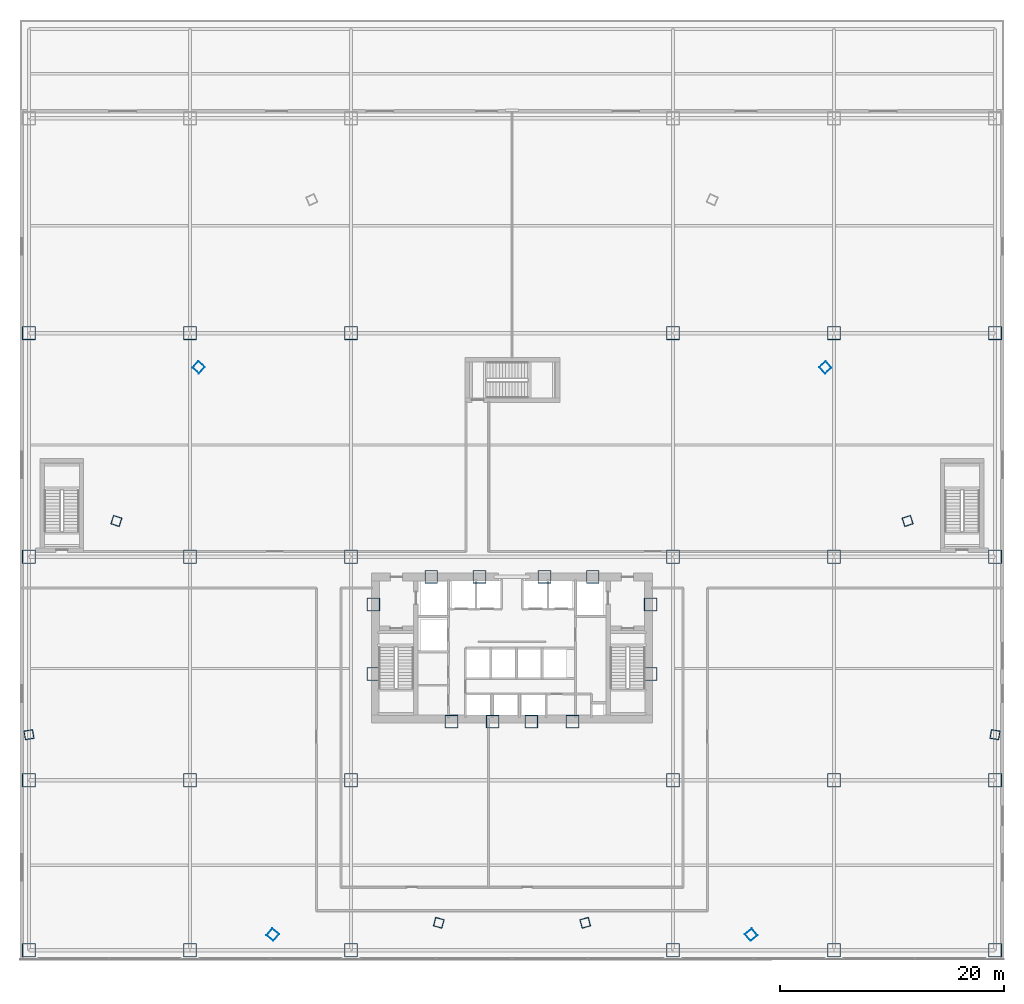
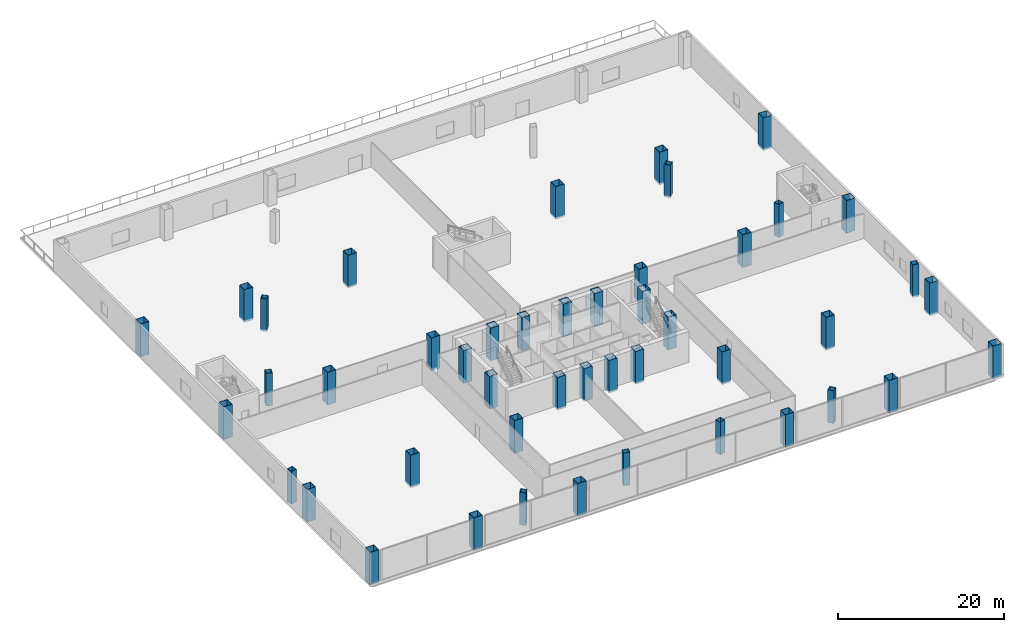
# One storey, part 1 of 27: 46 columns.
"""IFC4 building model written with IfcOpenShell, lengths in metres."""

from ifc_helpers import new_model, si_unit, direction, frame, origin, origin_2d, place, context, subcontext, project, spatial, hollow_rectangle, extrude, source, transform, mapped, material, material_profile, profile_set, type_object, element, save


model = new_model("IFC4")

# Units and contexts
model_context = context("Model", 3, precision=1e-05, world=origin(), true_north=direction((0.0, 1.0)))
body_context = subcontext(model_context, "Body", "Model", "MODEL_VIEW")
ifc_project = project(units=[si_unit("LENGTHUNIT", "METRE"), si_unit("AREAUNIT", "SQUARE_METRE"), si_unit("VOLUMEUNIT", "CUBIC_METRE"), si_unit("PLANEANGLEUNIT", "RADIAN"), si_unit("MASSUNIT", "GRAM", prefix="KILO"), si_unit("THERMODYNAMICTEMPERATUREUNIT", "KELVIN"), si_unit("POWERUNIT", "WATT")], contexts=[model_context])

# Site, building, storey
site_placement = place(None, origin())
site = spatial("IfcSite", under=ifc_project, at=site_placement, CompositionType="ELEMENT")
building_placement = place(site_placement, origin())
building = spatial("IfcBuilding", under=site, at=building_placement, Name="Yunzhuo Pagoda Commons", CompositionType="ELEMENT")
storey_placement = place(building_placement, frame((0.0, 0.0, 9.60009765625)))
storey = spatial("IfcBuildingStorey", under=building, at=storey_placement, Name="L03", CompositionType="ELEMENT", Elevation=9.60009765625)

# Columns
ifc_material = material(Name="Structural steel Q420B", Category="steel")
ifc_material_profile_1 = material_profile(ifc_material, hollow_rectangle(XDim=1.14990234375, YDim=1.14990234375, WallThickness=0.048095703125, at=origin_2d()), Name="Structural steel Q420B")
ifc_profile_set_1 = profile_set([ifc_material_profile_1], Name="Structural steel Q420B")
column_type_1 = type_object("IfcColumnType", Name="C-COR Column BOX 1150x1150x48", PredefinedType="COLUMN", material=ifc_profile_set_1)
shared_shape_1 = source(origin(), body_context, "Body", "SweptSolid", [
    extrude(hollow_rectangle(XDim=1.14990234375, YDim=1.14990234375, WallThickness=0.048095703125, at=origin_2d()), origin(), (0.0, 0.0, 1.0), 4.800048828125),
])
for number, where, z_axis, x_axis, name in (
    (1, (42.587890625, 27.25, -0.280029296875), (0.0, 0.0, 1.0), (1.0, 0.0, 0.0), "L03 core composite column F1C1"),
    (2, (46.27197265625, 27.25, -0.280029296875), (0.0, 0.0, 1.0), (1.0, 0.0, 0.0), "L03 core composite column F1C2"),
    (3, (49.728515625, 27.25, -0.280029296875), (0.0, 0.0, 1.0), (1.0, 0.0, 0.0), "L03 core composite column F1C3"),
    (4, (53.412109375, 27.25, -0.280029296875), (0.0, 0.0, 1.0), (1.0, 0.0, 0.0), "L03 core composite column F1C4"),
    (5, (60.39990234375, 31.513427734375, -0.280029296875), (0.0, 0.0, 1.0), (1.0, 0.0, 0.0), "L03 core composite column F2C1"),
    (6, (60.39990234375, 37.72900390625, -0.280029296875), (0.0, 0.0, 1.0), (1.0, 0.0, 0.0), "L03 core composite column F2C2"),
    (7, (55.218994140625, 40.199951171875, -0.280029296875), (0.0, 0.0, 1.0), (1.0, 0.0, 0.0), "L03 core composite column F2C3"),
    (8, (50.89404296875, 40.199951171875, -0.280029296875), (0.0, 0.0, 1.0), (1.0, 0.0, 0.0), "L03 core composite column F2C4"),
    (9, (45.10595703125, 40.199951171875, -0.280029296875), (0.0, 0.0, 1.0), (1.0, 0.0, 0.0), "L03 core composite column F3C1"),
    (10, (40.781005859375, 40.199951171875, -0.280029296875), (0.0, 0.0, 1.0), (1.0, 0.0, 0.0), "L03 core composite column F3C2"),
    (11, (35.60009765625, 37.72900390625, -0.280029296875), (0.0, 0.0, 1.0), (1.0, 0.0, 0.0), "L03 core composite column F3C3"),
    (12, (35.60009765625, 31.513427734375, -0.280029296875), (0.0, 0.0, 1.0), (1.0, 0.0, 0.0), "L03 core composite column F3C4"),
):
    element("IfcColumn", number, at=place(storey_placement, frame(where, z_axis=z_axis, x_axis=x_axis)), inside=storey, type_object=column_type_1, Name=name, PredefinedType="COLUMN", context=body_context, shape_type="MappedRepresentation", body=[
        mapped(shared_shape_1, transform((0.0, 0.0, 0.0), scale=1.0)),
    ])
ifc_material_profile_2 = material_profile(ifc_material, hollow_rectangle(XDim=1.199951171875, YDim=1.199951171875, WallThickness=0.050048828125, at=origin_2d()), Name="Structural steel Q420B")
ifc_profile_set_2 = profile_set([ifc_material_profile_2], Name="Structural steel Q420B")
column_type_2 = type_object("IfcColumnType", Name="C-POD Column BOX 1200x1200x50", PredefinedType="COLUMN", material=ifc_profile_set_2)
shared_shape_2 = source(origin(), body_context, "Body", "SweptSolid", [
    extrude(hollow_rectangle(XDim=1.199951171875, YDim=1.199951171875, WallThickness=0.050048828125, at=origin_2d()), origin(), (0.0, 0.0, 1.0), 4.800048828125),
])
for number, where, z_axis, x_axis, name in (
    (13, (4.800048828125, 6.800048828125, -0.280029296875), (0.0, 0.0, 1.0), (1.0, 0.0, 0.0), "L03 podium column P1_1"),
    (14, (4.800048828125, 22.0, -0.280029296875), (0.0, 0.0, 1.0), (1.0, 0.0, 0.0), "L03 podium column P1_2"),
    (15, (4.800048828125, 42.0, -0.280029296875), (0.0, 0.0, 1.0), (1.0, 0.0, 0.0), "L03 podium column P1_3"),
    (16, (4.800048828125, 62.0, -0.280029296875), (0.0, 0.0, 1.0), (1.0, 0.0, 0.0), "L03 podium column P1_4"),
    (17, (19.199951171875, 6.800048828125, -0.280029296875), (0.0, 0.0, 1.0), (1.0, 0.0, 0.0), "L03 podium column P2_1"),
    (18, (19.199951171875, 22.0, -0.280029296875), (0.0, 0.0, 1.0), (1.0, 0.0, 0.0), "L03 podium column P2_2"),
    (19, (19.199951171875, 42.0, -0.280029296875), (0.0, 0.0, 1.0), (1.0, 0.0, 0.0), "L03 podium column P2_3"),
    (20, (19.199951171875, 62.0, -0.280029296875), (0.0, 0.0, 1.0), (1.0, 0.0, 0.0), "L03 podium column P2_4"),
    (21, (33.60009765625, 6.800048828125, -0.280029296875), (0.0, 0.0, 1.0), (1.0, 0.0, 0.0), "L03 podium column P3_1"),
    (22, (33.60009765625, 22.0, -0.280029296875), (0.0, 0.0, 1.0), (1.0, 0.0, 0.0), "L03 podium column P3_2"),
    (23, (33.60009765625, 42.0, -0.280029296875), (0.0, 0.0, 1.0), (1.0, 0.0, 0.0), "L03 podium column P3_3"),
    (24, (33.60009765625, 62.0, -0.280029296875), (0.0, 0.0, 1.0), (1.0, 0.0, 0.0), "L03 podium column P3_4"),
    (25, (62.39990234375, 6.800048828125, -0.280029296875), (0.0, 0.0, 1.0), (1.0, 0.0, 0.0), "L03 podium column P4_1"),
    (26, (62.39990234375, 22.0, -0.280029296875), (0.0, 0.0, 1.0), (1.0, 0.0, 0.0), "L03 podium column P4_2"),
    (27, (62.39990234375, 42.0, -0.280029296875), (0.0, 0.0, 1.0), (1.0, 0.0, 0.0), "L03 podium column P4_3"),
    (28, (62.39990234375, 62.0, -0.280029296875), (0.0, 0.0, 1.0), (1.0, 0.0, 0.0), "L03 podium column P4_4"),
    (29, (76.800048828125, 6.800048828125, -0.280029296875), (0.0, 0.0, 1.0), (1.0, 0.0, 0.0), "L03 podium column P5_1"),
    (30, (76.800048828125, 22.0, -0.280029296875), (0.0, 0.0, 1.0), (1.0, 0.0, 0.0), "L03 podium column P5_2"),
    (31, (76.800048828125, 42.0, -0.280029296875), (0.0, 0.0, 1.0), (1.0, 0.0, 0.0), "L03 podium column P5_3"),
    (32, (76.800048828125, 62.0, -0.280029296875), (0.0, 0.0, 1.0), (1.0, 0.0, 0.0), "L03 podium column P5_4"),
    (33, (91.199951171875, 6.800048828125, -0.280029296875), (0.0, 0.0, 1.0), (1.0, 0.0, 0.0), "L03 podium column P6_1"),
    (34, (91.199951171875, 22.0, -0.280029296875), (0.0, 0.0, 1.0), (1.0, 0.0, 0.0), "L03 podium column P6_2"),
    (35, (91.199951171875, 42.0, -0.280029296875), (0.0, 0.0, 1.0), (1.0, 0.0, 0.0), "L03 podium column P6_3"),
    (36, (91.199951171875, 62.0, -0.280029296875), (0.0, 0.0, 1.0), (1.0, 0.0, 0.0), "L03 podium column P6_4"),
):
    element("IfcColumn", number, at=place(storey_placement, frame(where, z_axis=z_axis, x_axis=x_axis)), inside=storey, type_object=column_type_2, Name=name, PredefinedType="COLUMN", context=body_context, shape_type="MappedRepresentation", body=[
        mapped(shared_shape_2, transform((0.0, 0.0, 0.0), scale=1.0)),
    ])
ifc_material_profile_3 = material_profile(ifc_material, hollow_rectangle(XDim=0.800048828125, YDim=0.800048828125, WallThickness=0.031982421875, at=origin_2d()), Name="Structural steel Q420B")
ifc_profile_set_3 = profile_set([ifc_material_profile_3], Name="Structural steel Q420B")
column_type_3 = type_object("IfcColumnType", Name="C-BUT Column BOX 800x800x32", PredefinedType="COLUMN", material=ifc_profile_set_3)
shared_shape_3 = source(origin(), body_context, "Body", "SweptSolid", [
    extrude(hollow_rectangle(XDim=0.800048828125, YDim=0.800048828125, WallThickness=0.031982421875, at=origin_2d()), origin(), (0.0, 0.0, 1.0), 4.800048828125),
])
for number, where, z_axis, x_axis, name in (
    (37, (26.60302734375, 8.199951171875, -0.280029296875), (0.0, 0.0, 1.0), (0.766044443119, -0.642787609687, 0.0), "L03 podium transfer support column PR_F1C1"),
    (38, (41.45166015625, 9.260986328125, -0.280029296875), (0.0, 0.0, 1.0), (0.965925826289, -0.258819045103, 0.0), "L03 podium transfer support column PR_F1C2"),
    (39, (54.54833984375, 9.260986328125, -0.280029296875), (0.0, 0.0, 1.0), (0.965925826289, 0.258819045103, 0.0), "L03 podium transfer support column PR_F1C3"),
    (40, (69.39697265625, 8.199951171875, -0.280029296875), (0.0, 0.0, 1.0), (0.766044443119, 0.642787609687, 0.0), "L03 podium transfer support column PR_F1C4"),
    (41, (91.198974609375, 26.0830078125, -0.280029296875), (0.0, 0.0, 1.0), (0.173648177667, 0.984807753012, 0.0), "L03 podium transfer support column PR_F2C1"),
    (42, (83.37890625, 45.195556640625, -0.280029296875), (0.0, 0.0, 1.0), (-0.309016994375, 0.951056516295, 0.0), "L03 podium transfer support column PR_F2C2"),
    (43, (76.027099609375, 58.935302734375, -0.280029296875), (0.0, 0.0, 1.0), (-0.669130606359, 0.743144825477, 0.0), "L03 podium transfer support column PR_F2C3"),
    (44, (19.973388671875, 58.935302734375, -0.280029296875), (0.0, 0.0, 1.0), (-0.669130606359, -0.743144825477, 0.0), "L03 podium transfer support column PR_F3C2"),
    (45, (12.62109375, 45.195556640625, -0.280029296875), (0.0, 0.0, 1.0), (-0.309016994375, -0.951056516295, 0.0), "L03 podium transfer support column PR_F3C3"),
    (46, (4.801025390625, 26.0830078125, -0.280029296875), (0.0, 0.0, 1.0), (0.173648177667, -0.984807753012, 0.0), "L03 podium transfer support column PR_F3C4"),
):
    element("IfcColumn", number, at=place(storey_placement, frame(where, z_axis=z_axis, x_axis=x_axis)), inside=storey, type_object=column_type_3, Name=name, PredefinedType="COLUMN", context=body_context, shape_type="MappedRepresentation", body=[
        mapped(shared_shape_3, transform((0.0, 0.0, 0.0), scale=1.0)),
    ])

save(model, "model.ifc")
